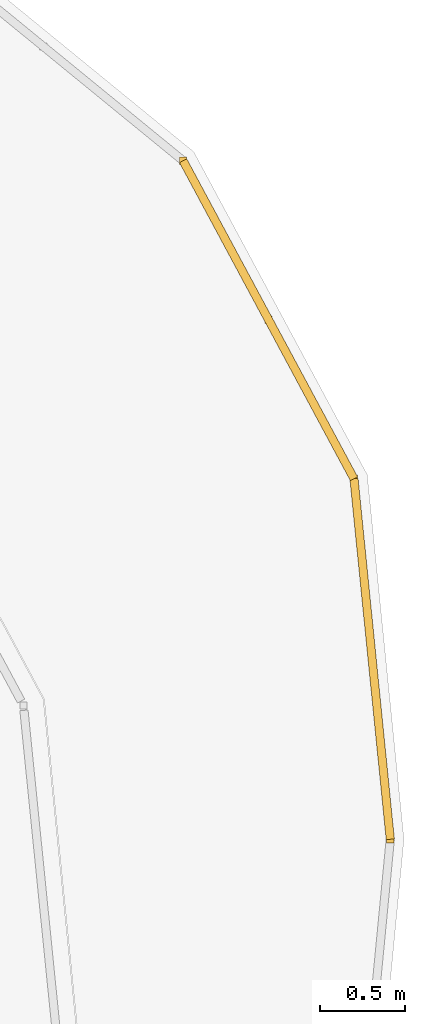
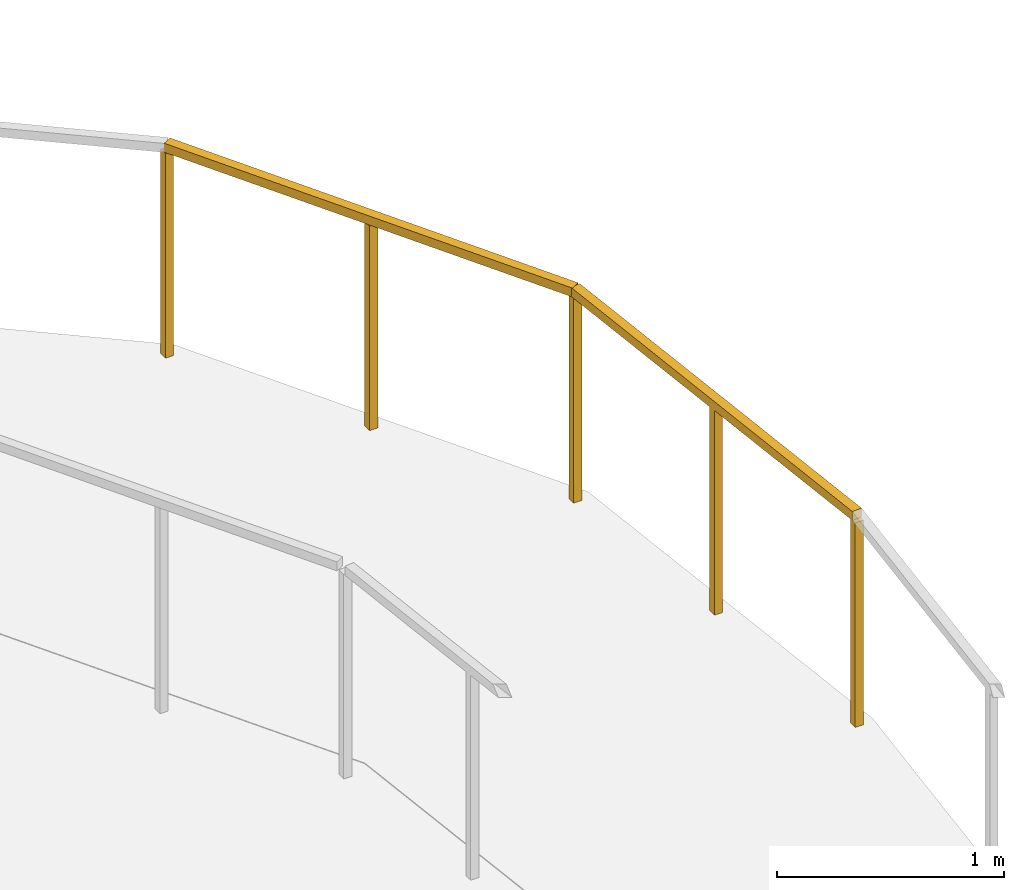
# One storey, part 20 of 20: 2 railings.
"""IFC4 building model written with IfcOpenShell, lengths in metres."""

from ifc_helpers import new_model, si_unit, direction, frame, origin, origin_2d, place, context, subcontext, project, spatial, rectangle, extrude, material, type_object, element, save


model = new_model("IFC4")

# Units and contexts
model_context = context("Model", 3, precision=1e-05, world=origin(), true_north=direction((0.0, 1.0)))
body_context = subcontext(model_context, "Body", "Model", "MODEL_VIEW")
ifc_project = project(units=[si_unit("LENGTHUNIT", "METRE"), si_unit("AREAUNIT", "SQUARE_METRE"), si_unit("VOLUMEUNIT", "CUBIC_METRE"), si_unit("PLANEANGLEUNIT", "RADIAN"), si_unit("MASSUNIT", "GRAM", prefix="KILO")], contexts=[model_context])

# Site, building, storey
site_placement = place(None, origin())
site = spatial("IfcSite", under=ifc_project, at=site_placement, CompositionType="ELEMENT")
building_placement = place(site_placement, origin())
building = spatial("IfcBuilding", under=site, at=building_placement, Name="Qhalaya Broadcast Tower", CompositionType="ELEMENT")
storey_placement = place(building_placement, frame((0.0, 0.0, 273.35009765625)))
storey = spatial("IfcBuildingStorey", under=building, at=storey_placement, Name="L81", CompositionType="ELEMENT", Elevation=273.35009765625)

# Railings
ifc_material = material(Name="Powder-Coated Galvanised Steel", Category="steel")
railing_type = type_object("IfcRailingType", Name="Terrace, Sky-Pool & Lookout Glass Balustrade 1150", PredefinedType="BALUSTRADE", material=ifc_material)
railing_1_placement = place(storey_placement, frame((23.32568359375, 12.77001953125, 0.0)))
element("IfcRailing", 1, at=railing_1_placement, inside=storey, type_object=railing_type, Name="L81 Perimeter Safety Balustrade BAL-TER1-14", PredefinedType="BALUSTRADE", context=body_context, shape_type="SweptSolid", body=[
    extrude(rectangle(XDim=0.048095703125, YDim=0.048095703125, at=origin_2d()), frame((0.0, 0.0, 1.1259765625), z_axis=(0.473349036276, -0.880874956993, 0.0), x_axis=(0.880874956993, 0.473349036276, 0.0)), (0.0, 0.0, 1.0), 2.1142578125),
    extrude(rectangle(XDim=0.0419921875, YDim=0.0419921875, at=origin_2d()), origin(), (0.0, 0.0, 1.0), 1.099853515625),
    extrude(rectangle(XDim=0.0419921875, YDim=0.0419921875, at=origin_2d()), frame((0.50048828125, -0.93115234375, 0.0)), (0.0, 0.0, 1.0), 1.099853515625),
    extrude(rectangle(XDim=0.0419921875, YDim=0.0419921875, at=origin_2d()), frame((1.000732421875, -1.8623046875, 0.0)), (0.0, 0.0, 1.0), 1.099853515625),
])
railing_2_placement = place(storey_placement, frame((24.326416015625, 10.90771484375, 0.0)))
element("IfcRailing", 2, at=railing_2_placement, inside=storey, type_object=railing_type, Name="L81 Perimeter Safety Balustrade BAL-TER1-15", PredefinedType="BALUSTRADE", context=body_context, shape_type="SweptSolid", body=[
    extrude(rectangle(XDim=0.048095703125, YDim=0.048095703125, at=origin_2d()), frame((0.0, 0.0, 1.1259765625), z_axis=(0.100198481383, -0.99496746898, 0.0), x_axis=(0.99496746898, 0.100198481383, 0.0)), (0.0, 0.0, 1.0), 2.122314453125),
    extrude(rectangle(XDim=0.0419921875, YDim=0.0419921875, at=origin_2d()), origin(), (0.0, 0.0, 1.0), 1.099853515625),
    extrude(rectangle(XDim=0.0419921875, YDim=0.0419921875, at=origin_2d()), frame((0.1064453125, -1.0556640625, 0.0)), (0.0, 0.0, 1.0), 1.099853515625),
    extrude(rectangle(XDim=0.0419921875, YDim=0.0419921875, at=origin_2d()), frame((0.212646484375, -2.111572265625, 0.0)), (0.0, 0.0, 1.0), 1.099853515625),
])

save(model, "model.ifc")
